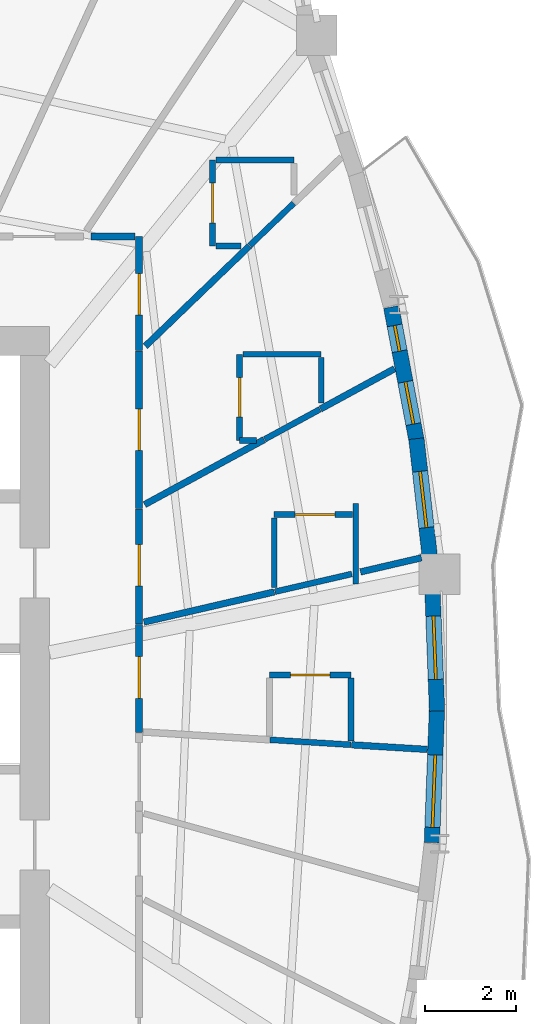
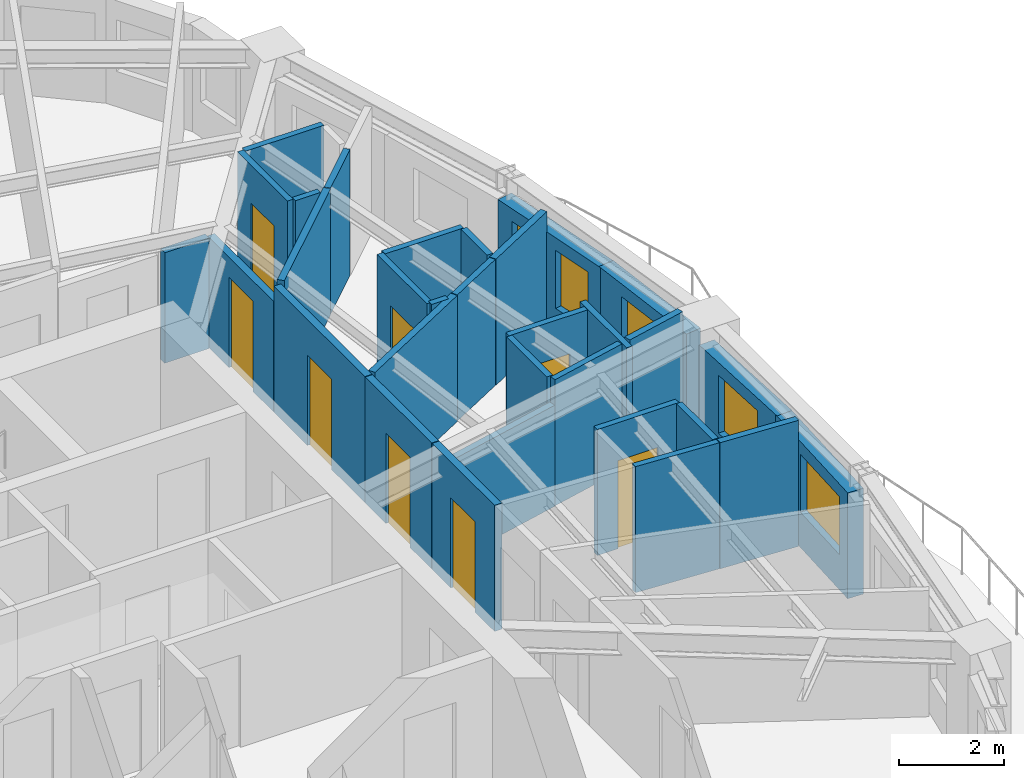
# One storey, part 10 of 17: 31 walls, 8 doors, 5 windows, 13 openings.
"""IFC4 building model written with IfcOpenShell, lengths in metres."""

from ifc_helpers import new_model, si_unit, direction, frame, frame_2d, origin, place, context, subcontext, project, spatial, rectangle, extrude, source, transform, mapped, material, layer, layer_set, type_object, element, fill, save


model = new_model("IFC4")

# Units and contexts
model_context = context("Model", 3, precision=1e-05, world=origin(), true_north=direction((0.0, 1.0)))
body_context = subcontext(model_context, "Body", "Model", "MODEL_VIEW")
ifc_project = project(units=[si_unit("LENGTHUNIT", "METRE"), si_unit("AREAUNIT", "SQUARE_METRE"), si_unit("VOLUMEUNIT", "CUBIC_METRE"), si_unit("PLANEANGLEUNIT", "RADIAN"), si_unit("MASSUNIT", "GRAM", prefix="KILO")], contexts=[model_context])

# Site, building, storey
site_placement = place(None, origin())
site = spatial("IfcSite", under=ifc_project, at=site_placement, CompositionType="ELEMENT")
building_placement = place(site_placement, origin())
building = spatial("IfcBuilding", under=site, at=building_placement, Name="Qafzar Sky-Pleat Residences", CompositionType="ELEMENT")
storey_placement = place(building_placement, frame((0.0, 0.0, 112.0)))
storey = spatial("IfcBuildingStorey", under=building, at=storey_placement, Name="L33", CompositionType="ELEMENT", Elevation=112.0)

# Wall, opening, door
ifc_material_1 = material(Name="Acoustic gypsum plasterboard partition", Category="gypsum")
ifc_layer_1 = layer(ifc_material_1, 0.159912109375)
ifc_layer_set_1 = layer_set([ifc_layer_1], Name="Acoustic gypsum plasterboard partition")
wall_type_1 = type_object("IfcWallType", Name="PART-COR-160", PredefinedType="PARTITIONING", material=ifc_layer_set_1)
wall_1_placement = place(storey_placement, frame((38.530029296875, 33.89892578125, 0.0), z_axis=(0.0, 0.0, 1.0), x_axis=(0.0, -1.0, 0.0)))
wall_1 = element("IfcWall", 1, at=wall_1_placement, inside=storey, type_object=wall_type_1, Name="L33 Partition Wall PART-L33-PW-007", PredefinedType="PARTITIONING", context=body_context, shape_type="SweptSolid", body=[
    extrude(rectangle(XDim=3.468994140625, YDim=0.159912109375, at=frame_2d((1.734375, 0.0))), origin(), (0.0, 0.0, 1.0), 2.93505859375),
])
opening_1_placement = place(wall_1_placement, frame((1.276611328125, 0.0, 0.0)))
opening_1 = element("IfcOpeningElement", 2, at=opening_1_placement, cuts=wall_1, Name="Opening ID-04", PredefinedType="OPENING", context=body_context, shape_type="SweptSolid", body=[
    extrude(rectangle(XDim=0.919921875, YDim=2.10009765625, at=frame_2d((0.4599609375, 1.050048828125))), frame((0.0, 0.08984375, 0.0), z_axis=(0.0, -1.0, 0.0), x_axis=(1.0, 0.0, 0.0)), (0.0, 0.0, 1.0), 0.179931640625),
])
ifc_material_2 = material(Name="Timber-faced fire door", Category="wood")
door_type_1 = type_object("IfcDoorType", Name="DR-BED-920", OperationType="NOTDEFINED", PredefinedType="DOOR", material=ifc_material_2)
shared_shape_1 = source(origin(), body_context, "Body", "SweptSolid", [
    extrude(rectangle(XDim=0.919921875, YDim=2.10009765625, at=frame_2d((0.4599609375, 1.050048828125))), frame((0.0, 0.02490234375, 0.0), z_axis=(0.0, -1.0, 0.0), x_axis=(1.0, 0.0, 0.0)), (0.0, 0.0, 1.0), 0.050048828125),
])
door_1_placement = place(opening_1_placement, origin())
door_1 = element("IfcDoor", 3, at=door_1_placement, inside=storey, type_object=door_type_1, Name="L33 Co-Living Bedroom 12 Door", OperationType="SINGLE_SWING_LEFT", OverallHeight=2.10009765625, OverallWidth=0.919921875, PredefinedType="DOOR", context=body_context, shape_type="MappedRepresentation", body=[
    mapped(shared_shape_1, transform((0.0, 0.0, 0.0), x_axis=(1.0, 0.0, 0.0), y_axis=(0.0, 1.0, 0.0), z_axis=(0.0, 0.0, 1.0), scale=1.0)),
])
fill(opening_1, door_1)

wall_2_placement = place(storey_placement, frame((38.530029296875, 30.4150390625, 0.0), z_axis=(0.0, 0.0, 1.0), x_axis=(0.0, -1.0, 0.0)))
wall_2 = element("IfcWall", 4, at=wall_2_placement, inside=storey, type_object=wall_type_1, Name="L33 Partition Wall PART-L33-PW-011", PredefinedType="PARTITIONING", context=body_context, shape_type="SweptSolid", body=[
    extrude(rectangle(XDim=2.5361328125, YDim=0.159912109375, at=frame_2d((1.26806640625, 0.0))), origin(), (0.0, 0.0, 1.0), 2.93505859375),
])
opening_2_placement = place(wall_2_placement, frame((0.784423828125, 0.0, 0.0)))
opening_2 = element("IfcOpeningElement", 5, at=opening_2_placement, cuts=wall_2, Name="Opening ID-04", PredefinedType="OPENING", context=body_context, shape_type="SweptSolid", body=[
    extrude(rectangle(XDim=0.919921875, YDim=2.10009765625, at=frame_2d((0.4599609375, 1.050048828125))), frame((0.0, 0.08984375, 0.0), z_axis=(0.0, -1.0, 0.0), x_axis=(1.0, 0.0, 0.0)), (0.0, 0.0, 1.0), 0.179931640625),
])
door_2_placement = place(opening_2_placement, origin())
door_2 = element("IfcDoor", 6, at=door_2_placement, inside=storey, type_object=door_type_1, Name="L33 Co-Living Bedroom 9 Door", OperationType="SINGLE_SWING_RIGHT", OverallHeight=2.10009765625, OverallWidth=0.919921875, PredefinedType="DOOR", context=body_context, shape_type="MappedRepresentation", body=[
    mapped(shared_shape_1, transform((0.0, 0.0, 0.0), x_axis=(1.0, 0.0, 0.0), y_axis=(0.0, 1.0, 0.0), z_axis=(0.0, 0.0, 1.0), scale=1.0)),
])
fill(opening_2, door_2)

wall_3_placement = place(storey_placement, frame((38.530029296875, 36.429931640625, 0.0), z_axis=(0.0, 0.0, 1.0), x_axis=(0.0, -1.0, 0.0)))
wall_3 = element("IfcWall", 7, at=wall_3_placement, inside=storey, type_object=wall_type_1, Name="L33 Partition Wall PART-L33-PW-012", PredefinedType="PARTITIONING", context=body_context, shape_type="SweptSolid", body=[
    extrude(rectangle(XDim=2.515869140625, YDim=0.159912109375, at=frame_2d((1.2578125, 0.0))), origin(), (0.0, 0.0, 1.0), 2.572998046875),
])
opening_3_placement = place(wall_3_placement, frame((0.81591796875, 0.0, 0.0)))
opening_3 = element("IfcOpeningElement", 8, at=opening_3_placement, cuts=wall_3, Name="Opening ID-04", PredefinedType="OPENING", context=body_context, shape_type="SweptSolid", body=[
    extrude(rectangle(XDim=0.919921875, YDim=2.10009765625, at=frame_2d((0.4599609375, 1.050048828125))), frame((0.0, 0.08984375, 0.0), z_axis=(0.0, -1.0, 0.0), x_axis=(1.0, 0.0, 0.0)), (0.0, 0.0, 1.0), 0.179931640625),
])
door_3_placement = place(opening_3_placement, origin())
door_3 = element("IfcDoor", 9, at=door_3_placement, inside=storey, type_object=door_type_1, Name="L33 Co-Living Bedroom 11 Door", OperationType="SINGLE_SWING_LEFT", OverallHeight=2.10009765625, OverallWidth=0.919921875, PredefinedType="DOOR", context=body_context, shape_type="MappedRepresentation", body=[
    mapped(shared_shape_1, transform((0.0, 0.0, 0.0), x_axis=(1.0, 0.0, 0.0), y_axis=(0.0, 1.0, 0.0), z_axis=(0.0, 0.0, 1.0), scale=1.0)),
])
fill(opening_3, door_3)

wall_4_placement = place(storey_placement, frame((38.530029296875, 27.864013671875, 0.0), z_axis=(0.0, 0.0, 1.0), x_axis=(0.0, -1.0, 0.0)))
wall_4 = element("IfcWall", 10, at=wall_4_placement, inside=storey, type_object=wall_type_1, Name="L33 Partition Wall PART-L33-PW-014", PredefinedType="PARTITIONING", context=body_context, shape_type="SweptSolid", body=[
    extrude(rectangle(XDim=2.381103515625, YDim=0.159912109375, at=frame_2d((1.1904296875, 0.0))), origin(), (0.0, 0.0, 1.0), 2.93505859375),
])
opening_4_placement = place(wall_4_placement, frame((0.7080078125, 0.0, 0.0)))
opening_4 = element("IfcOpeningElement", 11, at=opening_4_placement, cuts=wall_4, Name="Opening ID-04", PredefinedType="OPENING", context=body_context, shape_type="SweptSolid", body=[
    extrude(rectangle(XDim=0.919921875, YDim=2.10009765625, at=frame_2d((0.4599609375, 1.050048828125))), frame((0.0, 0.08984375, 0.0), z_axis=(0.0, -1.0, 0.0), x_axis=(1.0, 0.0, 0.0)), (0.0, 0.0, 1.0), 0.179931640625),
])
door_4_placement = place(opening_4_placement, origin())
door_4 = element("IfcDoor", 12, at=door_4_placement, inside=storey, type_object=door_type_1, Name="L33 Co-Living Bedroom 10 Door", OperationType="SINGLE_SWING_LEFT", OverallHeight=2.10009765625, OverallWidth=0.919921875, PredefinedType="DOOR", context=body_context, shape_type="MappedRepresentation", body=[
    mapped(shared_shape_1, transform((0.0, 0.0, 0.0), x_axis=(1.0, 0.0, 0.0), y_axis=(0.0, 1.0, 0.0), z_axis=(0.0, 0.0, 1.0), scale=1.0)),
])
fill(opening_4, door_4)

# Walls
wall_5_placement = place(storey_placement, frame((37.463134765625, 36.429931640625, 0.0), z_axis=(0.0, 0.0, 1.0), x_axis=(1.0, 0.0, 0.0)))
element("IfcWall", 13, at=wall_5_placement, inside=storey, type_object=wall_type_1, Name="L33 Partition Wall PART-L33-PW-081", PredefinedType="PARTITIONING", context=body_context, shape_type="SweptSolid", body=[
    extrude(rectangle(XDim=0.978759765625, YDim=0.159912109375, at=frame_2d((0.4892578125, 0.0))), origin(), (0.0, 0.0, 1.0), 2.572998046875),
])
ifc_layer_2 = layer(ifc_material_1, 0.14501953125)
ifc_layer_set_2 = layer_set([ifc_layer_2], Name="Acoustic gypsum plasterboard partition")
wall_type_2 = type_object("IfcWallType", Name="PART-UNIT-145", PredefinedType="PARTITIONING", material=ifc_layer_set_2)
wall_6_placement = place(storey_placement, frame((38.666015625, 34.009033203125, 0.0), z_axis=(0.0, 0.0, 1.0), x_axis=(0.72031454127, 0.693647577402, 0.0)))
element("IfcWall", 14, at=wall_6_placement, inside=storey, type_object=wall_type_2, Name="L33 Partition Wall PART-L33-PW-047", PredefinedType="PARTITIONING", context=body_context, shape_type="SweptSolid", body=[
    extrude(rectangle(XDim=3.18603515625, YDim=0.14501953125, at=frame_2d((1.593017578125, 0.0))), origin(), (0.0, 0.0, 1.0), 2.93505859375),
])
wall_7_placement = place(storey_placement, frame((38.651611328125, 30.51318359375, 0.0), z_axis=(0.0, 0.0, 1.0), x_axis=(0.878637115469, 0.47749012484, 0.0)))
element("IfcWall", 15, at=wall_7_placement, inside=storey, type_object=wall_type_2, Name="L33 Partition Wall PART-L33-PW-048", PredefinedType="PARTITIONING", context=body_context, shape_type="SweptSolid", body=[
    extrude(rectangle(XDim=3.0029296875, YDim=0.14501953125, at=frame_2d((1.50146484375, 0.0))), origin(), (0.0, 0.0, 1.0), 2.93505859375),
])
wall_8_placement = place(storey_placement, frame((38.63427734375, 27.918212890625, 0.0), z_axis=(0.0, 0.0, 1.0), x_axis=(0.974209851619, 0.225643889812, 0.0)))
element("IfcWall", 16, at=wall_8_placement, inside=storey, type_object=wall_type_2, Name="L33 Partition Wall PART-L33-PW-049", PredefinedType="PARTITIONING", context=body_context, shape_type="SweptSolid", body=[
    extrude(rectangle(XDim=2.954833984375, YDim=0.14501953125, at=frame_2d((1.4775390625, 0.0))), origin(), (0.0, 0.0, 1.0), 2.35302734375),
])
wall_9_placement = place(storey_placement, frame((42.534912109375, 32.6240234375, 0.0), z_axis=(0.0, 0.0, 1.0), x_axis=(0.878631690287, 0.477500107669, 0.0)))
element("IfcWall", 17, at=wall_9_placement, inside=storey, type_object=wall_type_2, Name="L33 Partition Wall PART-L33-PW-057", PredefinedType="PARTITIONING", context=body_context, shape_type="SweptSolid", body=[
    extrude(rectangle(XDim=1.860595703125, YDim=0.14501953125, at=frame_2d((0.93017578125, 0.0))), origin(), (0.0, 0.0, 1.0), 2.93505859375),
])
wall_10_placement = place(storey_placement, frame((43.221923828125, 25.208984375, 0.0), z_axis=(0.0, 0.0, 1.0), x_axis=(0.99814842403, -0.060825353328, 0.0)))
element("IfcWall", 18, at=wall_10_placement, inside=storey, type_object=wall_type_2, Name="L33 Partition Wall PART-L33-PW-067", PredefinedType="PARTITIONING", context=body_context, shape_type="SweptSolid", body=[
    extrude(rectangle(XDim=1.673828125, YDim=0.14501953125, at=frame_2d((0.8369140625, 0.0))), origin(), (0.0, 0.0, 1.0), 2.93505859375),
])
wall_11_placement = place(storey_placement, frame((43.416748046875, 29.026123046875, 0.0), z_axis=(0.0, 0.0, 1.0), x_axis=(0.974194367241, 0.225710732657, 0.0)))
element("IfcWall", 19, at=wall_11_placement, inside=storey, type_object=wall_type_2, Name="L33 Partition Wall PART-L33-PW-072", PredefinedType="PARTITIONING", context=body_context, shape_type="SweptSolid", body=[
    extrude(rectangle(XDim=1.38232421875, YDim=0.14501953125, at=frame_2d((0.691162109375, 0.0))), origin(), (0.0, 0.0, 1.0), 2.93505859375),
])

# Wall, opening, door
ifc_material_3 = material(Name="Moisture-resistant gypsum partition", Category="gypsum")
ifc_layer_3 = layer(ifc_material_3, 0.1298828125)
ifc_layer_set_3 = layer_set([ifc_layer_3], Name="Moisture-resistant gypsum partition")
wall_type_3 = type_object("IfcWallType", Name="PART-WET-130", PredefinedType="PARTITIONING", material=ifc_layer_set_3)
wall_12_placement = place(storey_placement, frame((40.75, 33.83203125, 0.0), z_axis=(0.0, 0.0, 1.0), x_axis=(0.0, -1.0, 0.0)))
wall_12 = element("IfcWall", 20, at=wall_12_placement, inside=storey, type_object=wall_type_3, Name="L33 Partition Wall PART-L33-PW-019", PredefinedType="PARTITIONING", context=body_context, shape_type="SweptSolid", body=[
    extrude(rectangle(XDim=1.900146484375, YDim=0.1298828125, at=frame_2d((0.9501953125, 0.0))), origin(), (0.0, 0.0, 1.0), 2.93505859375),
])
opening_5_placement = place(wall_12_placement, frame((0.510009765625, 0.0, 0.0)))
opening_5 = element("IfcOpeningElement", 21, at=opening_5_placement, cuts=wall_12, Name="Opening ID-07", PredefinedType="OPENING", context=body_context, shape_type="SweptSolid", body=[
    extrude(rectangle(XDim=0.8798828125, YDim=2.050048828125, at=frame_2d((0.43994140625, 1.02490234375))), frame((0.0, 0.074951171875, 0.0), z_axis=(0.0, -1.0, 0.0), x_axis=(1.0, 0.0, 0.0)), (0.0, 0.0, 1.0), 0.14990234375),
])
door_type_2 = type_object("IfcDoorType", Name="DR-WET-880", OperationType="NOTDEFINED", PredefinedType="DOOR", material=ifc_material_2)
shared_shape_2 = source(origin(), body_context, "Body", "SweptSolid", [
    extrude(rectangle(XDim=0.8798828125, YDim=2.050048828125, at=frame_2d((0.43994140625, 1.02490234375))), frame((0.0, 0.02490234375, 0.0), z_axis=(0.0, -1.0, 0.0), x_axis=(1.0, 0.0, 0.0)), (0.0, 0.0, 1.0), 0.050048828125),
])
door_5_placement = place(opening_5_placement, origin())
door_5 = element("IfcDoor", 22, at=door_5_placement, inside=storey, type_object=door_type_2, Name="L33 En-suite Bathroom 12 Door", OperationType="SINGLE_SWING_LEFT", OverallHeight=2.050048828125, OverallWidth=0.8798828125, PredefinedType="DOOR", context=body_context, shape_type="MappedRepresentation", body=[
    mapped(shared_shape_2, transform((0.0, 0.0, 0.0), x_axis=(1.0, 0.0, 0.0), y_axis=(0.0, 1.0, 0.0), z_axis=(0.0, 0.0, 1.0), scale=1.0)),
])
fill(opening_5, door_5)

wall_13_placement = place(storey_placement, frame((40.15087890625, 38.118896484375, 0.0), z_axis=(0.0, 0.0, 1.0), x_axis=(0.0, -1.0, 0.0)))
wall_13 = element("IfcWall", 23, at=wall_13_placement, inside=storey, type_object=wall_type_3, Name="L33 Partition Wall PART-L33-PW-024", PredefinedType="PARTITIONING", context=body_context, shape_type="SweptSolid", body=[
    extrude(rectangle(XDim=1.89990234375, YDim=0.1298828125, at=frame_2d((0.949951171875, 0.0))), origin(), (0.0, 0.0, 1.0), 2.93505859375),
])
opening_6_placement = place(wall_13_placement, frame((0.510009765625, 0.0, 0.0)))
opening_6 = element("IfcOpeningElement", 24, at=opening_6_placement, cuts=wall_13, Name="Opening ID-07", PredefinedType="OPENING", context=body_context, shape_type="SweptSolid", body=[
    extrude(rectangle(XDim=0.8798828125, YDim=2.050048828125, at=frame_2d((0.43994140625, 1.02490234375))), frame((0.0, 0.074951171875, 0.0), z_axis=(0.0, -1.0, 0.0), x_axis=(1.0, 0.0, 0.0)), (0.0, 0.0, 1.0), 0.14990234375),
])
door_6_placement = place(opening_6_placement, origin())
door_6 = element("IfcDoor", 25, at=door_6_placement, inside=storey, type_object=door_type_2, Name="L33 En-suite Bathroom 11 Door", OperationType="SINGLE_SWING_RIGHT", OverallHeight=2.050048828125, OverallWidth=0.8798828125, PredefinedType="DOOR", context=body_context, shape_type="MappedRepresentation", body=[
    mapped(shared_shape_2, transform((0.0, 0.0, 0.0), x_axis=(1.0, 0.0, 0.0), y_axis=(0.0, 1.0, 0.0), z_axis=(0.0, 0.0, 1.0), scale=1.0)),
])
fill(opening_6, door_6)

wall_14_placement = place(storey_placement, frame((43.239990234375, 30.2919921875, 0.0), z_axis=(0.0, 0.0, 1.0), x_axis=(-1.0, 0.0, 0.0)))
wall_14 = element("IfcWall", 26, at=wall_14_placement, inside=storey, type_object=wall_type_3, Name="L33 Partition Wall PART-L33-PW-026", PredefinedType="PARTITIONING", context=body_context, shape_type="SweptSolid", body=[
    extrude(rectangle(XDim=1.72705078125, YDim=0.1298828125, at=frame_2d((0.863525390625, 0.0))), origin(), (0.0, 0.0, 1.0), 2.93505859375),
])
opening_7_placement = place(wall_14_placement, frame((0.386962890625, 0.0, 0.0)))
opening_7 = element("IfcOpeningElement", 27, at=opening_7_placement, cuts=wall_14, Name="Opening ID-07", PredefinedType="OPENING", context=body_context, shape_type="SweptSolid", body=[
    extrude(rectangle(XDim=0.8798828125, YDim=2.050048828125, at=frame_2d((0.43994140625, 1.02490234375))), frame((0.0, 0.074951171875, 0.0), z_axis=(0.0, -1.0, 0.0), x_axis=(1.0, 0.0, 0.0)), (0.0, 0.0, 1.0), 0.14990234375),
])
door_7_placement = place(opening_7_placement, origin())
door_7 = element("IfcDoor", 28, at=door_7_placement, inside=storey, type_object=door_type_2, Name="L33 En-suite Bathroom 9 Door", OperationType="SINGLE_SWING_RIGHT", OverallHeight=2.050048828125, OverallWidth=0.8798828125, PredefinedType="DOOR", context=body_context, shape_type="MappedRepresentation", body=[
    mapped(shared_shape_2, transform((0.0, 0.0, 0.0), x_axis=(1.0, 0.0, 0.0), y_axis=(0.0, 1.0, 0.0), z_axis=(0.0, 0.0, 1.0), scale=1.0)),
])
fill(opening_7, door_7)

wall_15_placement = place(storey_placement, frame((43.20703125, 26.7529296875, 0.0), z_axis=(0.0, 0.0, 1.0), x_axis=(-1.0, 0.0, 0.0)))
wall_15 = element("IfcWall", 29, at=wall_15_placement, inside=storey, type_object=wall_type_3, Name="L33 Partition Wall PART-L33-PW-027", PredefinedType="PARTITIONING", context=body_context, shape_type="SweptSolid", body=[
    extrude(rectangle(XDim=1.800048828125, YDim=0.1298828125, at=frame_2d((0.89990234375, 0.0))), origin(), (0.0, 0.0, 1.0), 2.93505859375),
])
opening_8_placement = place(wall_15_placement, frame((0.4599609375, 0.0, 0.0)))
opening_8 = element("IfcOpeningElement", 30, at=opening_8_placement, cuts=wall_15, Name="Opening ID-07", PredefinedType="OPENING", context=body_context, shape_type="SweptSolid", body=[
    extrude(rectangle(XDim=0.8798828125, YDim=2.050048828125, at=frame_2d((0.43994140625, 1.02490234375))), frame((0.0, 0.074951171875, 0.0), z_axis=(0.0, -1.0, 0.0), x_axis=(1.0, 0.0, 0.0)), (0.0, 0.0, 1.0), 0.14990234375),
])
door_8_placement = place(opening_8_placement, origin())
door_8 = element("IfcDoor", 31, at=door_8_placement, inside=storey, type_object=door_type_2, Name="L33 En-suite Bathroom 10 Door", OperationType="SINGLE_SWING_LEFT", OverallHeight=2.050048828125, OverallWidth=0.8798828125, PredefinedType="DOOR", context=body_context, shape_type="MappedRepresentation", body=[
    mapped(shared_shape_2, transform((0.0, 0.0, 0.0), x_axis=(1.0, 0.0, 0.0), y_axis=(0.0, 1.0, 0.0), z_axis=(0.0, 0.0, 1.0), scale=1.0)),
])
fill(opening_8, door_8)

# Walls
wall_16_placement = place(storey_placement, frame((41.527587890625, 28.58837890625, 0.0), z_axis=(0.0, 0.0, 1.0), x_axis=(0.974206728247, 0.225657374437, 0.0)))
element("IfcWall", 32, at=wall_16_placement, inside=storey, type_object=wall_type_3, Name="L33 Partition Wall PART-L33-PW-058", PredefinedType="PARTITIONING", context=body_context, shape_type="SweptSolid", body=[
    extrude(rectangle(XDim=1.742919921875, YDim=0.1298828125, at=frame_2d((0.87158203125, 0.0))), origin(), (0.0, 0.0, 1.0), 2.93505859375),
])
wall_17_placement = place(storey_placement, frame((40.22412109375, 38.118896484375, 0.0), z_axis=(0.0, 0.0, 1.0), x_axis=(1.0, 0.0, 0.0)))
element("IfcWall", 33, at=wall_17_placement, inside=storey, type_object=wall_type_3, Name="L33 Partition Wall PART-L33-PW-061", PredefinedType="PARTITIONING", context=body_context, shape_type="SweptSolid", body=[
    extrude(rectangle(XDim=1.726806640625, YDim=0.1298828125, at=frame_2d((0.86328125, 0.0))), origin(), (0.0, 0.0, 1.0), 2.93505859375),
])
wall_18_placement = place(storey_placement, frame((40.822998046875, 33.83203125, 0.0), z_axis=(0.0, 0.0, 1.0), x_axis=(1.0, 0.0, 0.0)))
element("IfcWall", 34, at=wall_18_placement, inside=storey, type_object=wall_type_3, Name="L33 Partition Wall PART-L33-PW-062", PredefinedType="PARTITIONING", context=body_context, shape_type="SweptSolid", body=[
    extrude(rectangle(XDim=1.72705078125, YDim=0.1298828125, at=frame_2d((0.863525390625, 0.0))), origin(), (0.0, 0.0, 1.0), 2.93505859375),
])
wall_19_placement = place(storey_placement, frame((41.422119140625, 25.320068359375, 0.0), z_axis=(0.0, 0.0, 1.0), x_axis=(0.998102716713, -0.061570828237, 0.0)))
element("IfcWall", 35, at=wall_19_placement, inside=storey, type_object=wall_type_3, Name="L33 Partition Wall PART-L33-PW-063", PredefinedType="PARTITIONING", context=body_context, shape_type="SweptSolid", body=[
    extrude(rectangle(XDim=1.788330078125, YDim=0.1298828125, at=frame_2d((0.89404296875, 0.0))), origin(), (0.0, 0.0, 1.0), 2.93505859375),
])
wall_20_placement = place(storey_placement, frame((41.512939453125, 28.6826171875, 0.0), z_axis=(0.0, 0.0, 1.0), x_axis=(0.0, 1.0, 0.0)))
element("IfcWall", 36, at=wall_20_placement, inside=storey, type_object=wall_type_3, Name="L33 Partition Wall PART-L33-PW-066", PredefinedType="PARTITIONING", context=body_context, shape_type="SweptSolid", body=[
    extrude(rectangle(XDim=1.536376953125, YDim=0.1298828125, at=frame_2d((0.76806640625, 0.0))), origin(), (0.0, 0.0, 1.0), 2.93505859375),
])
wall_21_placement = place(storey_placement, frame((43.20703125, 25.294677734375, 0.0), z_axis=(0.0, 0.0, 1.0), x_axis=(0.0, 1.0, 0.0)))
element("IfcWall", 37, at=wall_21_placement, inside=storey, type_object=wall_type_3, Name="L33 Partition Wall PART-L33-PW-071", PredefinedType="PARTITIONING", context=body_context, shape_type="SweptSolid", body=[
    extrude(rectangle(XDim=1.38525390625, YDim=0.1298828125, at=frame_2d((0.692626953125, 0.0))), origin(), (0.0, 0.0, 1.0), 2.93505859375),
])
wall_22_placement = place(storey_placement, frame((41.30322265625, 31.9541015625, 0.0), z_axis=(0.0, 0.0, 1.0), x_axis=(0.87855387187, 0.477643270885, 0.0)))
element("IfcWall", 38, at=wall_22_placement, inside=storey, type_object=wall_type_3, Name="L33 Partition Wall PART-L33-PW-075", PredefinedType="PARTITIONING", context=body_context, shape_type="SweptSolid", body=[
    extrude(rectangle(XDim=1.38720703125, YDim=0.1298828125, at=frame_2d((0.693603515625, 0.0))), origin(), (0.0, 0.0, 1.0), 2.93505859375),
])
wall_23_placement = place(storey_placement, frame((40.9716796875, 36.2294921875, 0.0), z_axis=(0.0, 0.0, 1.0), x_axis=(0.72014550452, 0.693823069896, 0.0)))
element("IfcWall", 39, at=wall_23_placement, inside=storey, type_object=wall_type_3, Name="L33 Partition Wall PART-L33-PW-077", PredefinedType="PARTITIONING", context=body_context, shape_type="SweptSolid", body=[
    extrude(rectangle(XDim=1.344970703125, YDim=0.1298828125, at=frame_2d((0.67236328125, 0.0))), origin(), (0.0, 0.0, 1.0), 2.93505859375),
])
wall_24_placement = place(storey_placement, frame((43.31298828125, 28.761962890625, 0.0), z_axis=(0.0, 0.0, 1.0), x_axis=(0.0, 1.0, 0.0)))
element("IfcWall", 40, at=wall_24_placement, inside=storey, type_object=wall_type_3, Name="L33 Partition Wall PART-L33-PW-079", PredefinedType="PARTITIONING", context=body_context, shape_type="SweptSolid", body=[
    extrude(rectangle(XDim=1.77001953125, YDim=0.1298828125, at=frame_2d((0.885009765625, 0.0))), origin(), (0.0, 0.0, 1.0), 2.93505859375),
])
wall_25_placement = place(storey_placement, frame((42.550048828125, 32.7578125, 0.0), z_axis=(0.0, 0.0, 1.0), x_axis=(0.0, 1.0, 0.0)))
element("IfcWall", 41, at=wall_25_placement, inside=storey, type_object=wall_type_3, Name="L33 Partition Wall PART-L33-PW-082", PredefinedType="PARTITIONING", context=body_context, shape_type="SweptSolid", body=[
    extrude(rectangle(XDim=1.001220703125, YDim=0.1298828125, at=frame_2d((0.50048828125, 0.0))), origin(), (0.0, 0.0, 1.0), 2.93505859375),
])
wall_26_placement = place(storey_placement, frame((40.22412109375, 36.218994140625, 0.0), z_axis=(0.0, 0.0, 1.0), x_axis=(1.0, 0.0, 0.0)))
element("IfcWall", 42, at=wall_26_placement, inside=storey, type_object=wall_type_3, Name="L33 Partition Wall PART-L33-PW-088", PredefinedType="PARTITIONING", context=body_context, shape_type="SweptSolid", body=[
    extrude(rectangle(XDim=0.556884765625, YDim=0.1298828125, at=frame_2d((0.2783203125, 0.0))), origin(), (0.0, 0.0, 1.0), 2.93505859375),
])
wall_27_placement = place(storey_placement, frame((40.75, 31.931884765625, 0.0), z_axis=(0.0, 0.0, 1.0), x_axis=(1.0, 0.0, 0.0)))
element("IfcWall", 43, at=wall_27_placement, inside=storey, type_object=wall_type_3, Name="L33 Partition Wall PART-L33-PW-091", PredefinedType="PARTITIONING", context=body_context, shape_type="SweptSolid", body=[
    extrude(rectangle(XDim=0.376953125, YDim=0.1298828125, at=frame_2d((0.1884765625, 0.0))), origin(), (0.0, 0.0, 1.0), 2.93505859375),
])

# Wall, opening, window
ifc_material_4 = material(Name="Precast concrete C40/50 with honed Riyadh limestone", Category="concrete")
ifc_layer_4 = layer(ifc_material_4, 0.340087890625)
ifc_layer_set_4 = layer_set([ifc_layer_4], Name="Precast concrete C40/50 with honed Riyadh limestone")
wall_type_4 = type_object("IfcWallType", Name="WALL-EXT-340", PredefinedType="SOLIDWALL", material=ifc_layer_set_4)
wall_28_placement = place(storey_placement, frame((44.994140625, 23.05126953125, 0.0), z_axis=(0.0, 0.0, 1.0), x_axis=(0.037982360438, 0.999278409802, 0.0)))
wall_28 = element("IfcWall", 44, at=wall_28_placement, inside=storey, type_object=wall_type_4, Name="L33 Limestone Facade Wall 27", PredefinedType="SOLIDWALL", context=body_context, shape_type="SweptSolid", body=[
    extrude(rectangle(XDim=2.995361328125, YDim=0.340087890625, at=frame_2d((1.49755859375, 0.0))), origin(), (0.0, 0.0, 1.0), 2.465087890625),
])
opening_9_placement = place(wall_28_placement, frame((0.3349609375, 0.0, 0.820068359375)))
opening_9 = element("IfcOpeningElement", 45, at=opening_9_placement, cuts=wall_28, Name="Opening WN-09", PredefinedType="OPENING", context=body_context, shape_type="SweptSolid", body=[
    extrude(rectangle(XDim=1.60009765625, YDim=1.35009765625, at=frame_2d((0.800048828125, 0.675048828125))), frame((0.0, 0.18017578125, 0.0), z_axis=(0.0, -1.0, 0.0), x_axis=(1.0, 0.0, 0.0)), (0.0, 0.0, 1.0), 0.360107421875),
])
ifc_material_5 = material(Name="Solar-control low-E glass in bronze aluminium frame", Category="glass")
window_type_1 = type_object("IfcWindowType", Name="WIN-09", PartitioningType="DOUBLE_PANEL_VERTICAL", PredefinedType="WINDOW", material=ifc_material_5)
shared_shape_3 = source(origin(), body_context, "Body", "SweptSolid", [
    extrude(rectangle(XDim=1.60009765625, YDim=1.35009765625, at=frame_2d((0.800048828125, 0.675048828125))), frame((0.0, 0.030029296875, 0.0), z_axis=(0.0, -1.0, 0.0), x_axis=(1.0, 0.0, 0.0)), (0.0, 0.0, 1.0), 0.06005859375),
])
window_1_placement = place(opening_9_placement, origin())
window_1 = element("IfcWindow", 46, at=window_1_placement, inside=storey, type_object=window_type_1, Name="L33 Punched Facade Window 27", OverallHeight=1.35009765625, OverallWidth=1.60009765625, PartitioningType="SINGLE_PANEL", PredefinedType="WINDOW", context=body_context, shape_type="MappedRepresentation", body=[
    mapped(shared_shape_3, transform((0.0, 0.0, 0.0), x_axis=(1.0, 0.0, 0.0), y_axis=(0.0, 1.0, 0.0), z_axis=(0.0, 0.0, 1.0), scale=1.0)),
])
fill(opening_9, window_1)

wall_29_placement = place(storey_placement, frame((45.10791015625, 25.95556640625, 0.0), z_axis=(0.0, 0.0, 1.0), x_axis=(-0.037955087732, 0.999279446059, 0.0)))
wall_29 = element("IfcWall", 47, at=wall_29_placement, inside=storey, type_object=wall_type_4, Name="L33 Limestone Facade Wall 28", PredefinedType="SOLIDWALL", context=body_context, shape_type="SweptSolid", body=[
    extrude(rectangle(XDim=2.78515625, YDim=0.340087890625, at=frame_2d((1.392578125, 0.0))), origin(), (0.0, 0.0, 1.0), 2.465087890625),
])
opening_10_placement = place(wall_29_placement, frame((0.697509765625, 0.0, 0.820068359375)))
opening_10 = element("IfcOpeningElement", 48, at=opening_10_placement, cuts=wall_29, Name="Opening WN-10", PredefinedType="OPENING", context=body_context, shape_type="SweptSolid", body=[
    extrude(rectangle(XDim=1.39990234375, YDim=1.35009765625, at=frame_2d((0.699951171875, 0.675048828125))), frame((0.0, 0.18017578125, 0.0), z_axis=(0.0, -1.0, 0.0), x_axis=(1.0, 0.0, 0.0)), (0.0, 0.0, 1.0), 0.360107421875),
])
window_type_2 = type_object("IfcWindowType", Name="WIN-10", PartitioningType="SINGLE_PANEL", PredefinedType="WINDOW", material=ifc_material_5)
shared_shape_4 = source(origin(), body_context, "Body", "SweptSolid", [
    extrude(rectangle(XDim=1.39990234375, YDim=1.35009765625, at=frame_2d((0.699951171875, 0.675048828125))), frame((0.0, 0.030029296875, 0.0), z_axis=(0.0, -1.0, 0.0), x_axis=(1.0, 0.0, 0.0)), (0.0, 0.0, 1.0), 0.06005859375),
])
window_2_placement = place(opening_10_placement, origin())
window_2 = element("IfcWindow", 49, at=window_2_placement, inside=storey, type_object=window_type_2, Name="L33 Punched Facade Window 28", OverallHeight=1.35009765625, OverallWidth=1.39990234375, PartitioningType="SINGLE_PANEL", PredefinedType="WINDOW", context=body_context, shape_type="MappedRepresentation", body=[
    mapped(shared_shape_4, transform((0.0, 0.0, 0.0), x_axis=(1.0, 0.0, 0.0), y_axis=(0.0, 1.0, 0.0), z_axis=(0.0, 0.0, 1.0), scale=1.0)),
])
fill(opening_10, window_2)

wall_30_placement = place(storey_placement, frame((44.96826171875, 29.184326171875, 0.0), z_axis=(0.0, 0.0, 1.0), x_axis=(-0.113251751131, 0.993566324342, 0.0)))
wall_30 = element("IfcWall", 50, at=wall_30_placement, inside=storey, type_object=wall_type_4, Name="L33 Limestone Facade Wall 29", PredefinedType="SOLIDWALL", context=body_context, shape_type="SweptSolid", body=[
    extrude(rectangle(XDim=2.802490234375, YDim=0.340087890625, at=frame_2d((1.4013671875, 0.0))), origin(), (0.0, 0.0, 1.0), 2.465087890625),
])
opening_11_placement = place(wall_30_placement, frame((0.82568359375, 0.0, 0.820068359375)))
opening_11 = element("IfcOpeningElement", 51, at=opening_11_placement, cuts=wall_30, Name="Opening WN-11", PredefinedType="OPENING", context=body_context, shape_type="SweptSolid", body=[
    extrude(rectangle(XDim=1.25, YDim=1.35009765625, at=frame_2d((0.625, 0.675048828125))), frame((0.0, 0.18017578125, 0.0), z_axis=(0.0, -1.0, 0.0), x_axis=(1.0, 0.0, 0.0)), (0.0, 0.0, 1.0), 0.360107421875),
])
window_type_3 = type_object("IfcWindowType", Name="WIN-11", PartitioningType="SINGLE_PANEL", PredefinedType="WINDOW", material=ifc_material_5)
shared_shape_5 = source(origin(), body_context, "Body", "SweptSolid", [
    extrude(rectangle(XDim=1.25, YDim=1.35009765625, at=frame_2d((0.625, 0.675048828125))), frame((0.0, 0.030029296875, 0.0), z_axis=(0.0, -1.0, 0.0), x_axis=(1.0, 0.0, 0.0)), (0.0, 0.0, 1.0), 0.06005859375),
])
window_3_placement = place(opening_11_placement, origin())
window_3 = element("IfcWindow", 52, at=window_3_placement, inside=storey, type_object=window_type_3, Name="L33 Punched Facade Window 29", OverallHeight=1.35009765625, OverallWidth=1.25, PartitioningType="SINGLE_PANEL", PredefinedType="WINDOW", context=body_context, shape_type="MappedRepresentation", body=[
    mapped(shared_shape_5, transform((0.0, 0.0, 0.0), x_axis=(1.0, 0.0, 0.0), y_axis=(0.0, 1.0, 0.0), z_axis=(0.0, 0.0, 1.0), scale=1.0)),
])
fill(opening_11, window_3)

# Wall, openings, windows
wall_31_placement = place(storey_placement, frame((44.664306640625, 31.881103515625, 0.0), z_axis=(0.0, 0.0, 1.0), x_axis=(-0.18665909876, 0.982424745642, 0.0)))
wall_31 = element("IfcWall", 53, at=wall_31_placement, inside=storey, type_object=wall_type_4, Name="L33 Limestone Facade Wall 30", PredefinedType="SOLIDWALL", context=body_context, shape_type="SweptSolid", body=[
    extrude(rectangle(XDim=3.046142578125, YDim=0.340087890625, at=frame_2d((1.52294921875, 0.0))), origin(), (0.0, 0.0, 1.0), 2.465087890625),
])
opening_12_placement = place(wall_31_placement, frame((0.416015625, 0.0, 0.820068359375)))
opening_12 = element("IfcOpeningElement", 54, at=opening_12_placement, cuts=wall_31, Name="Opening WN-12", PredefinedType="OPENING", context=body_context, shape_type="SweptSolid", body=[
    extrude(rectangle(XDim=0.949951171875, YDim=1.35009765625, at=frame_2d((0.47509765625, 0.675048828125))), frame((0.0, 0.18017578125, 0.0), z_axis=(0.0, -1.0, 0.0), x_axis=(1.0, 0.0, 0.0)), (0.0, 0.0, 1.0), 0.360107421875),
])
opening_13_placement = place(wall_31_placement, frame((2.05419921875, 0.0, 0.820068359375)))
opening_13 = element("IfcOpeningElement", 55, at=opening_13_placement, cuts=wall_31, Name="Opening WN-17", PredefinedType="OPENING", context=body_context, shape_type="SweptSolid", body=[
    extrude(rectangle(XDim=0.580078125, YDim=1.35009765625, at=frame_2d((0.2900390625, 0.675048828125))), frame((0.0, 0.18017578125, 0.0), z_axis=(0.0, -1.0, 0.0), x_axis=(1.0, 0.0, 0.0)), (0.0, 0.0, 1.0), 0.360107421875),
])
window_type_4 = type_object("IfcWindowType", Name="WIN-12", PartitioningType="SINGLE_PANEL", PredefinedType="WINDOW", material=ifc_material_5)
shared_shape_6 = source(origin(), body_context, "Body", "SweptSolid", [
    extrude(rectangle(XDim=0.949951171875, YDim=1.35009765625, at=frame_2d((0.47509765625, 0.675048828125))), frame((0.0, 0.030029296875, 0.0), z_axis=(0.0, -1.0, 0.0), x_axis=(1.0, 0.0, 0.0)), (0.0, 0.0, 1.0), 0.06005859375),
])
window_4_placement = place(opening_12_placement, origin())
window_4 = element("IfcWindow", 56, at=window_4_placement, inside=storey, type_object=window_type_4, Name="L33 Punched Facade Window 30", OverallHeight=1.35009765625, OverallWidth=0.949951171875, PartitioningType="SINGLE_PANEL", PredefinedType="WINDOW", context=body_context, shape_type="MappedRepresentation", body=[
    mapped(shared_shape_6, transform((0.0, 0.0, 0.0), x_axis=(1.0, 0.0, 0.0), y_axis=(0.0, 1.0, 0.0), z_axis=(0.0, 0.0, 1.0), scale=1.0)),
])
fill(opening_12, window_4)
window_type_5 = type_object("IfcWindowType", Name="WIN-17", PartitioningType="SINGLE_PANEL", PredefinedType="WINDOW", material=ifc_material_5)
shared_shape_7 = source(origin(), body_context, "Body", "SweptSolid", [
    extrude(rectangle(XDim=0.580078125, YDim=1.35009765625, at=frame_2d((0.2900390625, 0.675048828125))), frame((0.0, 0.030029296875, 0.0), z_axis=(0.0, -1.0, 0.0), x_axis=(1.0, 0.0, 0.0)), (0.0, 0.0, 1.0), 0.06005859375),
])
window_5_placement = place(opening_13_placement, origin())
window_5 = element("IfcWindow", 57, at=window_5_placement, inside=storey, type_object=window_type_5, Name="L33 Punched Facade Window 30-2", OverallHeight=1.35009765625, OverallWidth=0.580078125, PartitioningType="SINGLE_PANEL", PredefinedType="WINDOW", context=body_context, shape_type="MappedRepresentation", body=[
    mapped(shared_shape_7, transform((0.0, 0.0, 0.0), x_axis=(1.0, 0.0, 0.0), y_axis=(0.0, 1.0, 0.0), z_axis=(0.0, 0.0, 1.0), scale=1.0)),
])
fill(opening_13, window_5)

save(model, "model.ifc")
